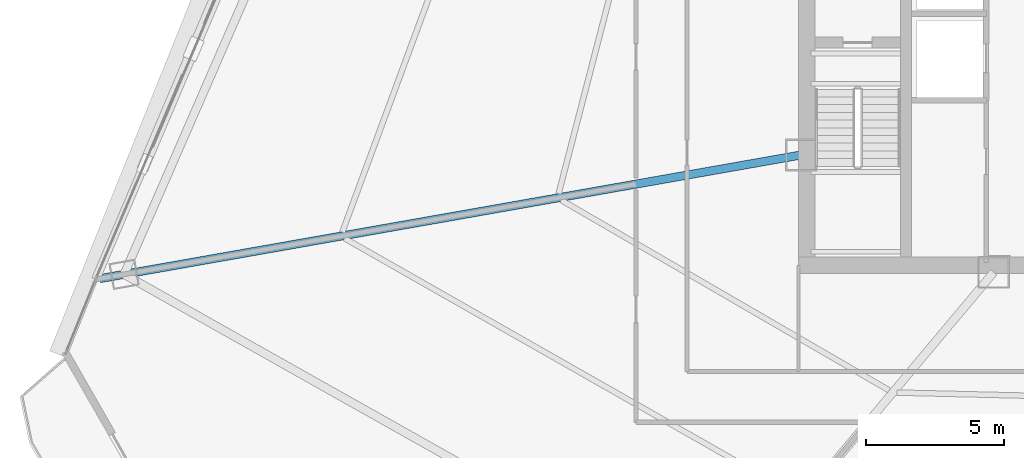
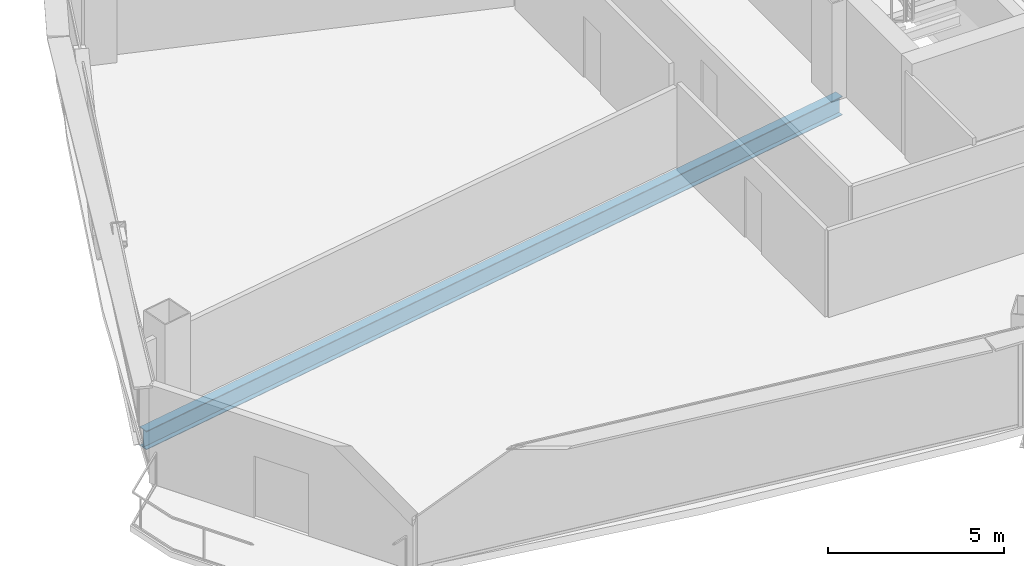
# One storey, part 5 of 39: 1 beam.
"""IFC4 building model written with IfcOpenShell, lengths in metres."""

from ifc_helpers import new_model, si_unit, direction, frame, origin, origin_2d, place, context, subcontext, project, spatial, i_section, extrude, source, transform, mapped, material, material_profile, profile_set, type_object, element, save


model = new_model("IFC4")

# Units and contexts
model_context = context("Model", 3, precision=1e-05, world=origin(), true_north=direction((0.0, 1.0)))
body_context = subcontext(model_context, "Body", "Model", "MODEL_VIEW")
ifc_project = project(units=[si_unit("LENGTHUNIT", "METRE"), si_unit("AREAUNIT", "SQUARE_METRE"), si_unit("VOLUMEUNIT", "CUBIC_METRE"), si_unit("PLANEANGLEUNIT", "RADIAN"), si_unit("MASSUNIT", "GRAM", prefix="KILO"), si_unit("THERMODYNAMICTEMPERATUREUNIT", "KELVIN"), si_unit("POWERUNIT", "WATT")], contexts=[model_context])

# Site, building, storey
site_placement = place(None, origin())
site = spatial("IfcSite", under=ifc_project, at=site_placement, CompositionType="ELEMENT")
building_placement = place(site_placement, origin())
building = spatial("IfcBuilding", under=site, at=building_placement, Name="Yunzhuo Pagoda Commons", CompositionType="ELEMENT")
storey_placement = place(building_placement, frame((0.0, 0.0, 166.6298828125)))
storey = spatial("IfcBuildingStorey", under=building, at=storey_placement, Name="L42", CompositionType="ELEMENT", Elevation=166.6298828125)

# Beam
ifc_material = material(Name="Structural steel Q355B", Category="steel")
ifc_material_profile = material_profile(ifc_material, i_section(OverallWidth=0.300048828125, OverallDepth=0.64990234375, WebThickness=0.012939453125, FlangeThickness=0.02197265625, at=origin_2d()), Name="Structural steel Q355B")
ifc_profile_set = profile_set([ifc_material_profile], Name="Structural steel Q355B")
beam_type = type_object("IfcBeamType", Name="B-RG2 Beam HN 650x300x13x22", PredefinedType="BEAM", material=ifc_profile_set)
shared_shape = source(origin(), body_context, "Body", "SweptSolid", [
    extrude(i_section(OverallWidth=0.300048828125, OverallDepth=0.64990234375, WebThickness=0.012939453125, FlangeThickness=0.02197265625, at=origin_2d()), origin(), (0.0, 0.0, 1.0), 25.87158203125),
])
beam_placement = place(storey_placement, frame((10.12158203125, 27.02099609375, -0.5849609375), z_axis=(0.98480853359, 0.173643750734, 0.0), x_axis=(-0.173643750734, 0.98480853359, 0.0)))
element("IfcBeam", 1, at=beam_placement, inside=storey, type_object=beam_type, Name="L42 radial floor girder F3C4", PredefinedType="BEAM", context=body_context, shape_type="MappedRepresentation", body=[
    mapped(shared_shape, transform((0.0, 0.0, 0.0), scale=1.0)),
])

save(model, "model.ifc")
